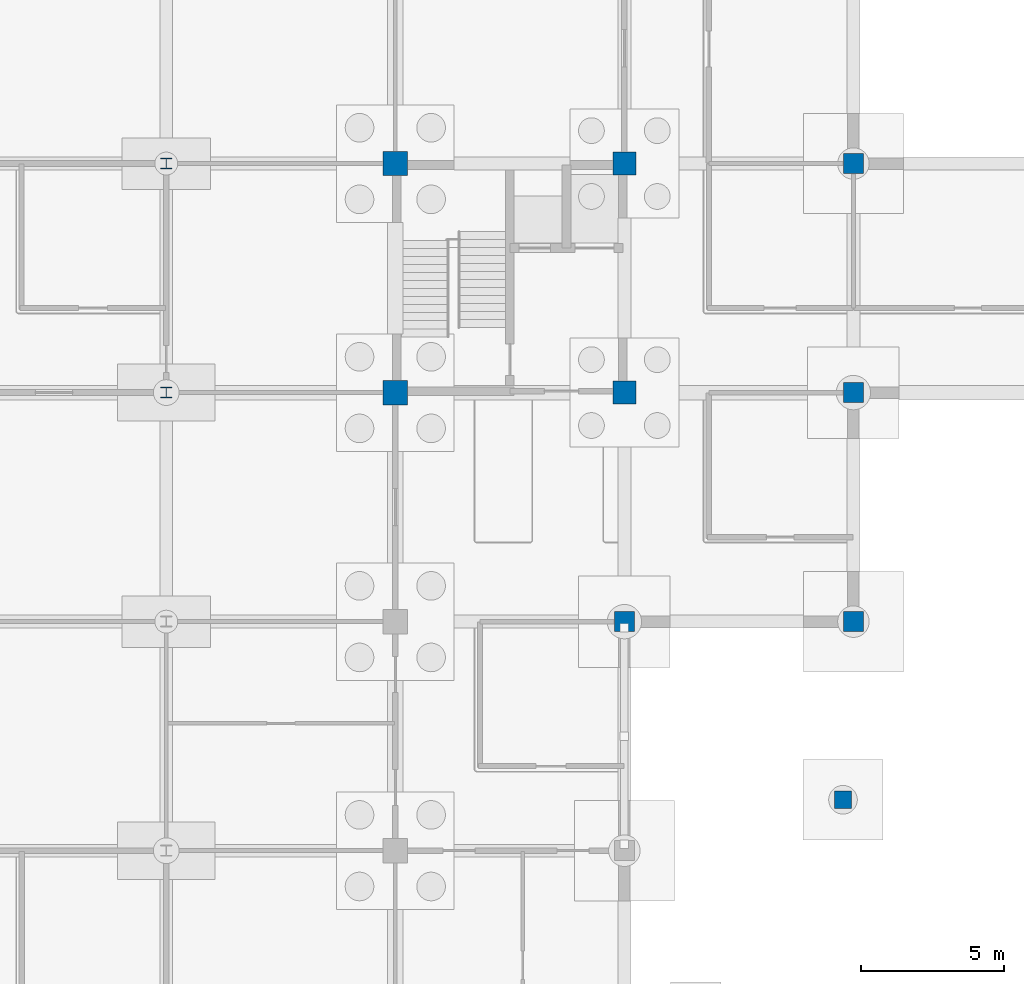
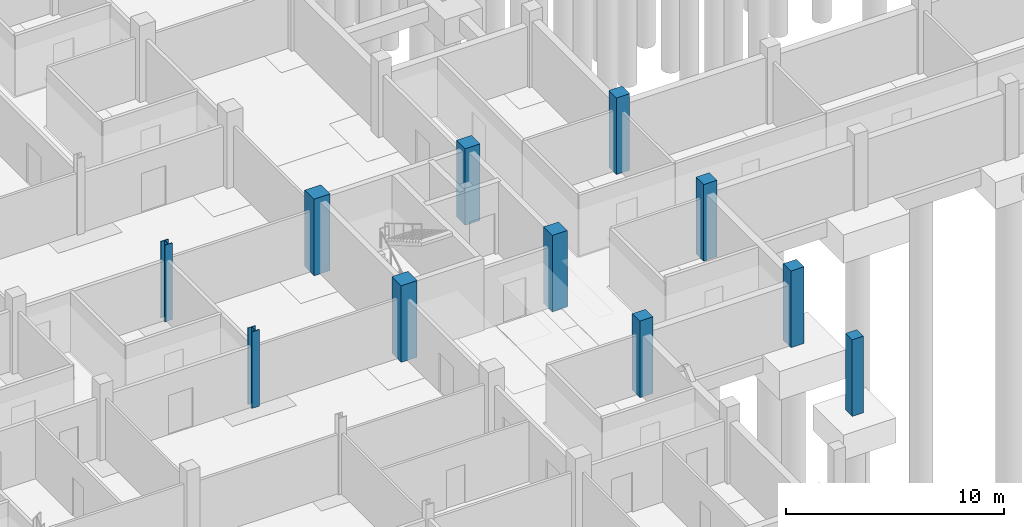
# One storey, part 18 of 48: 11 columns.
"""IFC4 building model written with IfcOpenShell, lengths in metres."""

from ifc_helpers import new_model, si_unit, derived_unit, direction, frame, origin, origin_2d, place, context, subcontext, project, spatial, rectangle, i_section, extrude, material, material_profile, profile_set, type_object, element, save


model = new_model("IFC4")

# Units and contexts
model_context = context("Model", 3, precision=1e-05, world=origin(), true_north=direction((0.0, 1.0)))
body_context = subcontext(model_context, "Body", "Model", "MODEL_VIEW")
ifc_project = project(units=[si_unit("LENGTHUNIT", "METRE"), si_unit("AREAUNIT", "SQUARE_METRE"), si_unit("VOLUMEUNIT", "CUBIC_METRE"), si_unit("PLANEANGLEUNIT", "RADIAN"), si_unit("MASSUNIT", "GRAM", prefix="KILO"), derived_unit("THERMALTRANSMITTANCEUNIT", [(si_unit("MASSUNIT", "GRAM", prefix="KILO"), 1), (si_unit("TIMEUNIT", "SECOND"), -3), (si_unit("THERMODYNAMICTEMPERATUREUNIT", "KELVIN"), -1)])], contexts=[model_context])

# Site, building, storey
site_placement = place(None, origin())
site = spatial("IfcSite", under=ifc_project, at=site_placement, CompositionType="ELEMENT")
building_placement = place(site_placement, origin())
building = spatial("IfcBuilding", under=site, at=building_placement, Name="Veyamyaing Civic Hall", CompositionType="ELEMENT")
storey_placement = place(building_placement, frame((0.0, 0.0, -4.2900390625)))
storey = spatial("IfcBuildingStorey", under=building, at=storey_placement, Name="B1", CompositionType="ELEMENT", Elevation=-4.2900390625)

# Columns
ifc_material_1 = material(Name="Concrete C45/55", Category="concrete")
ifc_material_profile_1 = material_profile(ifc_material_1, rectangle(XDim=0.85009765625, YDim=0.85009765625, at=origin_2d()), Name="RC-COL-850X850")
ifc_profile_set_1 = profile_set([ifc_material_profile_1], Name="Concrete C45/55")
column_type_1 = type_object("IfcColumnType", Name="C-01", PredefinedType="COLUMN", material=ifc_profile_set_1)
for number, where, z_axis, x_axis, name in (
    (1, (104.0, 48.0, 0.0), (0.0, 0.0, 1.0), (1.0, 0.0, 0.0), "Column C-01 14-G B1"),
    (2, (104.0, 56.0, 0.0), (0.0, 0.0, 1.0), (1.0, 0.0, 0.0), "Column C-01 14-H B1"),
):
    element("IfcColumn", number, at=place(storey_placement, frame(where, z_axis=z_axis, x_axis=x_axis)), inside=storey, type_object=column_type_1, Name=name, PredefinedType="COLUMN", context=body_context, shape_type="SweptSolid", body=[
        extrude(rectangle(XDim=0.85009765625, YDim=0.85009765625, at=origin_2d()), origin(), (0.0, 0.0, 1.0), 4.2900390625),
    ])
ifc_material_profile_2 = material_profile(ifc_material_1, rectangle(XDim=0.800048828125, YDim=0.800048828125, at=origin_2d()), Name="RC-COL-800X800")
ifc_profile_set_2 = profile_set([ifc_material_profile_2], Name="Concrete C45/55")
column_type_2 = type_object("IfcColumnType", Name="C-02", PredefinedType="COLUMN", material=ifc_profile_set_2)
for number, where, z_axis, x_axis, name in (
    (3, (112.0, 48.0, 0.0), (0.0, 0.0, 1.0), (1.0, 0.0, 0.0), "Column C-02 15-G B1"),
    (4, (112.0, 56.0, 0.0), (0.0, 0.0, 1.0), (1.0, 0.0, 0.0), "Column C-02 15-H B1"),
):
    element("IfcColumn", number, at=place(storey_placement, frame(where, z_axis=z_axis, x_axis=x_axis)), inside=storey, type_object=column_type_2, Name=name, PredefinedType="COLUMN", context=body_context, shape_type="SweptSolid", body=[
        extrude(rectangle(XDim=0.800048828125, YDim=0.800048828125, at=origin_2d()), origin(), (0.0, 0.0, 1.0), 4.2900390625),
    ])
ifc_material_profile_3 = material_profile(ifc_material_1, rectangle(XDim=0.699951171875, YDim=0.699951171875, at=origin_2d()), Name="RC-COL-700X700")
ifc_profile_set_3 = profile_set([ifc_material_profile_3], Name="Concrete C45/55")
column_type_3 = type_object("IfcColumnType", Name="C-04", PredefinedType="COLUMN", material=ifc_profile_set_3)
for number, where, z_axis, x_axis, name in (
    (5, (112.0, 40.0, 0.0), (0.0, 0.0, 1.0), (1.0, 0.0, 0.0), "Column C-04 15-F B1"),
    (6, (120.0, 40.0, 0.0), (0.0, 0.0, 1.0), (1.0, 0.0, 0.0), "Column C-04 16-F B1"),
    (7, (120.0, 48.0, 0.0), (0.0, 0.0, 1.0), (1.0, 0.0, 0.0), "Column C-04 16-G B1"),
    (8, (120.0, 56.0, 0.0), (0.0, 0.0, 1.0), (1.0, 0.0, 0.0), "Column C-04 16-H B1"),
):
    element("IfcColumn", number, at=place(storey_placement, frame(where, z_axis=z_axis, x_axis=x_axis)), inside=storey, type_object=column_type_3, Name=name, PredefinedType="COLUMN", context=body_context, shape_type="SweptSolid", body=[
        extrude(rectangle(XDim=0.699951171875, YDim=0.699951171875, at=origin_2d()), origin(), (0.0, 0.0, 1.0), 4.2900390625),
    ])
ifc_material_profile_4 = material_profile(ifc_material_1, rectangle(XDim=0.60009765625, YDim=0.60009765625, at=origin_2d()), Name="RC-COL-600X600")
ifc_profile_set_4 = profile_set([ifc_material_profile_4], Name="Concrete C45/55")
column_type_4 = type_object("IfcColumnType", Name="C-06", PredefinedType="COLUMN", material=ifc_profile_set_4)
column_placement = place(storey_placement, frame((119.63623046875, 33.779296875, 0.0), z_axis=(0.0, 0.0, 1.0), x_axis=(1.0, 0.0, 0.0)))
element("IfcColumn", 9, at=column_placement, inside=storey, type_object=column_type_4, Name="Curved corner column C-06 ARC-SE-14 B1", PredefinedType="COLUMN", context=body_context, shape_type="SweptSolid", body=[
    extrude(rectangle(XDim=0.60009765625, YDim=0.60009765625, at=origin_2d()), origin(), (0.0, 0.0, 1.0), 4.2900390625),
])
ifc_material_2 = material(Name="Steel S355J2", Category="steel")
ifc_material_profile_5 = material_profile(ifc_material_2, i_section(OverallWidth=0.39794921875, OverallDepth=0.386962890625, WebThickness=0.02099609375, FlangeThickness=0.033203125, FilletRadius=0.014892578125, at=origin_2d()), Name="W360X262")
ifc_profile_set_5 = profile_set([ifc_material_profile_5], Name="Steel S355J2")
column_type_5 = type_object("IfcColumnType", Name="C-08", PredefinedType="COLUMN", material=ifc_profile_set_5)
for number, where, z_axis, x_axis, name in (
    (10, (96.0, 48.0, 0.0), (0.0, 0.0, 1.0), (1.0, 0.0, 0.0), "Column C-08 13-G B1"),
    (11, (96.0, 56.0, 0.0), (0.0, 0.0, 1.0), (1.0, 0.0, 0.0), "Column C-08 13-H B1"),
):
    element("IfcColumn", number, at=place(storey_placement, frame(where, z_axis=z_axis, x_axis=x_axis)), inside=storey, type_object=column_type_5, Name=name, PredefinedType="COLUMN", context=body_context, shape_type="SweptSolid", body=[
        extrude(i_section(OverallWidth=0.39794921875, OverallDepth=0.386962890625, WebThickness=0.02099609375, FlangeThickness=0.033203125, FilletRadius=0.014892578125, at=origin_2d()), origin(), (0.0, 0.0, 1.0), 4.2900390625),
    ])

save(model, "model.ifc")
